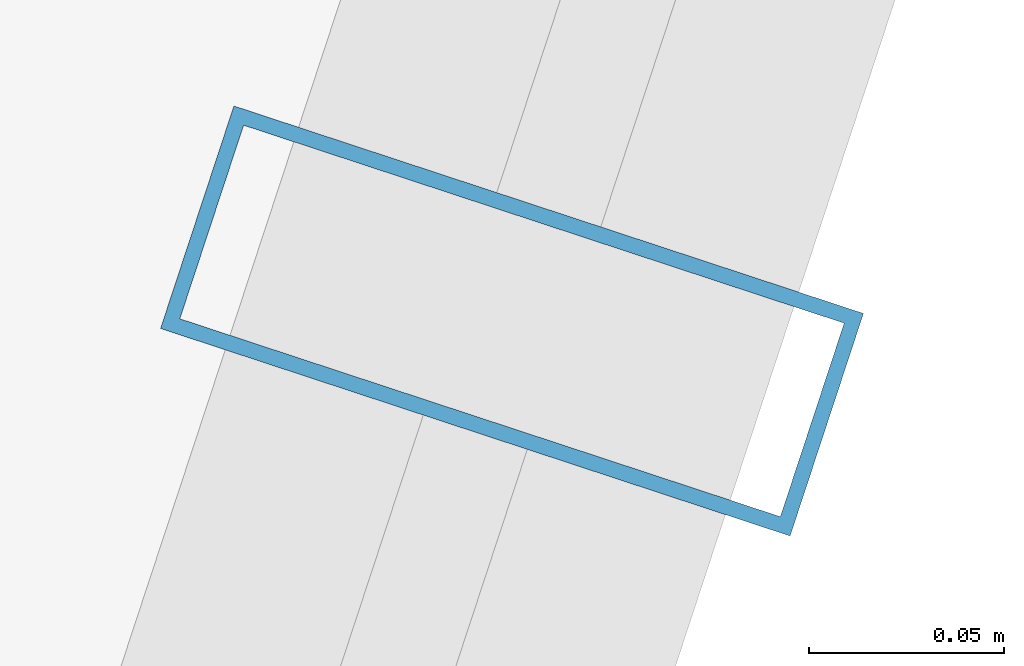
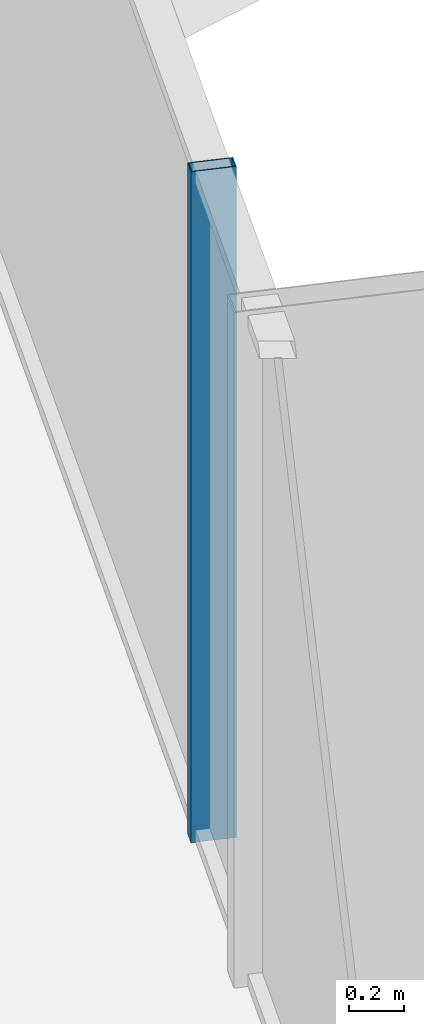
# One storey, part 18 of 38: 1 member, 1 element without a shape of its own.
"""IFC4 building model written with IfcOpenShell, lengths in metres."""

from ifc_helpers import new_model, si_unit, direction, frame, origin, origin_2d, place, context, subcontext, project, spatial, hollow_rectangle, extrude, source, transform, mapped, material, layer, layer_set, material_profile, profile_set, type_object, element, aggregate, save


model = new_model("IFC4")

# Units and contexts
model_context = context("Model", 3, precision=1e-05, world=origin(), true_north=direction((0.0, 1.0)))
body_context = subcontext(model_context, "Body", "Model", "MODEL_VIEW")
ifc_project = project(units=[si_unit("LENGTHUNIT", "METRE"), si_unit("AREAUNIT", "SQUARE_METRE"), si_unit("VOLUMEUNIT", "CUBIC_METRE"), si_unit("PLANEANGLEUNIT", "RADIAN"), si_unit("MASSUNIT", "GRAM", prefix="KILO")], contexts=[model_context])

# Site, building, storey
site_placement = place(None, origin())
site = spatial("IfcSite", under=ifc_project, at=site_placement, CompositionType="ELEMENT")
building_placement = place(site_placement, origin())
building = spatial("IfcBuilding", under=site, at=building_placement, Name="Veraguas Prism Commons", CompositionType="ELEMENT")
storey_placement = place(building_placement, frame((0.0, 0.0, 64.10009765625)))
storey = spatial("IfcBuildingStorey", under=building, at=storey_placement, Name="L17", CompositionType="ELEMENT", Elevation=64.10009765625)

# Curtain wall, member
ifc_material = material(Name="Anodised aluminium EN AW-6063 T6", Category="aluminium")
ifc_layer = layer(ifc_material, 0.169921875, Name="Unitised Flush Curtain Wall Zone 1", Category="aluminium")
ifc_layer_set = layer_set([ifc_layer], Name="Anodised aluminium EN AW-6063 T6")
curtain_wall_type = type_object("IfcCurtainWallType", Name="Unitised Flush Curtain Wall Zone 1", PredefinedType="NOTDEFINED", material=ifc_layer_set)
curtain_wall_placement = place(storey_placement, origin())
curtain_wall = element("IfcCurtainWall", 1, at=curtain_wall_placement, inside=storey, type_object=curtain_wall_type, Name="Tower Facade Curtain Wall L17-F6", PredefinedType="NOTDEFINED")
ifc_material_profile = material_profile(ifc_material, hollow_rectangle(XDim=0.06005859375, YDim=0.169921875, WallThickness=0.00390625, at=origin_2d()), Name="AL60X170X4")
ifc_profile_set = profile_set([ifc_material_profile], Name="Anodised aluminium EN AW-6063 T6")
member_type = type_object("IfcMemberType", Name="Curtain Wall Mullion Lower AL 60x170x4", PredefinedType="MULLION", material=ifc_profile_set)
shared_shape = source(origin(), body_context, "Body", "SweptSolid", [
    extrude(hollow_rectangle(XDim=0.06005859375, YDim=0.169921875, WallThickness=0.00390625, at=origin_2d()), origin(), (0.0, 0.0, 1.0), 3.0),
])
member_placement = place(storey_placement, frame((45.2021484375, 21.9306640625, 0.0), z_axis=(0.0, 0.0, 1.0), x_axis=(0.312991417409, 0.949755954248, 0.0)))
member = element("IfcMember", 2, at=member_placement, type_object=member_type, Name="CW-Z1 Mullion 4", PredefinedType="MULLION", context=body_context, shape_type="MappedRepresentation", body=[
    mapped(shared_shape, transform((0.0, 0.0, 0.0), scale=1.0)),
])
aggregate(curtain_wall, [member])

save(model, "model.ifc")
